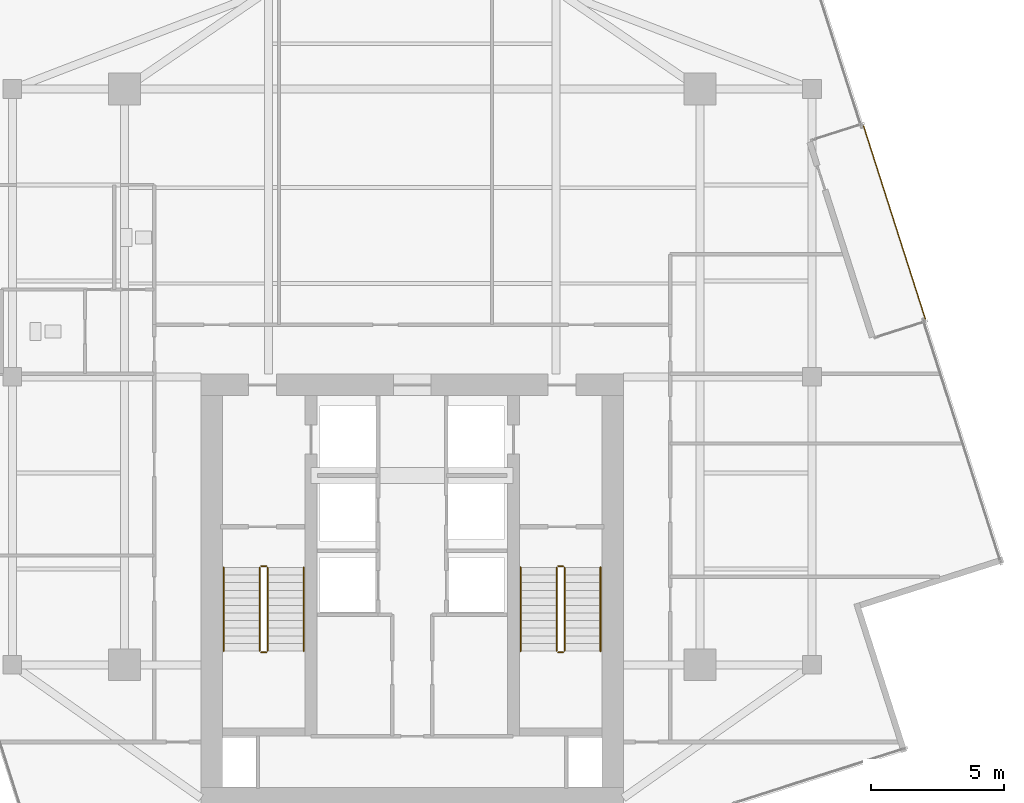
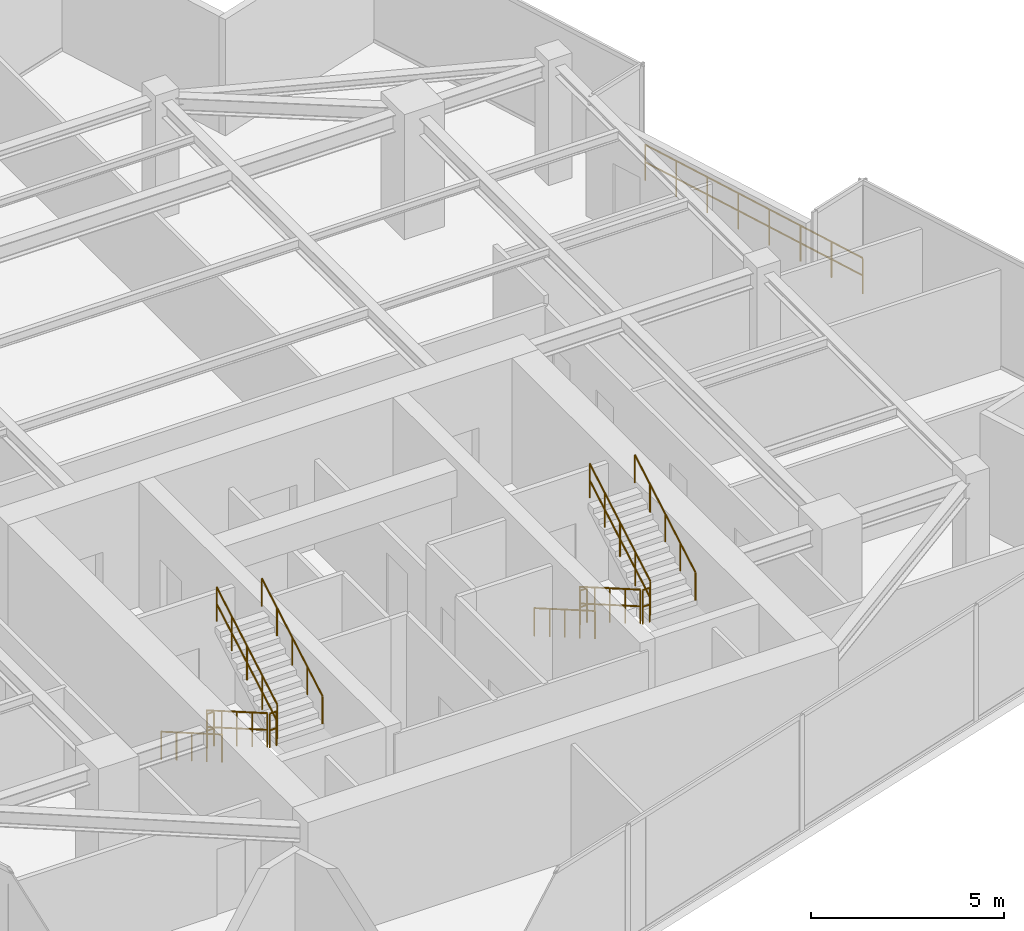
# One storey, part 20 of 21: 13 railings.
"""IFC4 building model written with IfcOpenShell, lengths in metres."""

from ifc_helpers import new_model, si_unit, direction, frame, origin, origin_2d, place, context, subcontext, project, spatial, circle, extrude, material, layer, layer_set, type_object, element, save


model = new_model("IFC4")

# Units and contexts
model_context = context("Model", 3, precision=1e-05, world=origin(), true_north=direction((0.0, 1.0)))
body_context = subcontext(model_context, "Body", "Model", "MODEL_VIEW")
ifc_project = project(units=[si_unit("LENGTHUNIT", "METRE"), si_unit("AREAUNIT", "SQUARE_METRE"), si_unit("VOLUMEUNIT", "CUBIC_METRE"), si_unit("PLANEANGLEUNIT", "RADIAN"), si_unit("MASSUNIT", "GRAM", prefix="KILO")], contexts=[model_context])

# Site, building, storey
site_placement = place(None, origin())
site = spatial("IfcSite", under=ifc_project, at=site_placement, CompositionType="ELEMENT")
building_placement = place(site_placement, origin())
building = spatial("IfcBuilding", under=site, at=building_placement, Name="Krantzveldt Concourse Tower", CompositionType="ELEMENT")
storey_placement = place(building_placement, frame((0.0, 0.0, 343.5)))
storey = spatial("IfcBuildingStorey", under=building, at=storey_placement, Name="L84", CompositionType="ELEMENT", Elevation=343.5)

# Railings
ifc_material = material(Name="Stainless steel 316L", Category="steel")
ifc_layer_1 = layer(ifc_material, 0.080078125, Name="Stainless steel 316L", Category="steel")
ifc_layer_set_1 = layer_set([ifc_layer_1], Name="Stainless steel 316L (RL-BALUSTRADE-1150)")
railing_type_1 = type_object("IfcRailingType", Name="RL-BALUSTRADE-1150", PredefinedType="BALUSTRADE", material=ifc_layer_set_1)
railing_1_placement = place(storey_placement, frame((52.93701171875, 36.111572265625, 0.0)))
element("IfcRailing", 1, at=railing_1_placement, inside=storey, type_object=railing_type_1, Name="GD-L84-CTER-01", PredefinedType="BALUSTRADE", context=body_context, shape_type="SweptSolid", body=[
    extrude(circle(Radius=0.02392578125, at=origin_2d()), frame((0.0, 0.0, 1.1259765625), z_axis=(0.304852654827, -0.952399526903, 0.0), x_axis=(0.952399526903, 0.304852654827, 0.0)), (0.0, 0.0, 1.0), 7.60009765625),
    extrude(circle(Radius=0.02392578125, at=origin_2d()), frame((0.0, 0.0, 0.574951171875), z_axis=(0.304852654827, -0.952399526903, 0.0), x_axis=(0.952399526903, 0.304852654827, 0.0)), (0.0, 0.0, 1.0), 7.60009765625),
    extrude(circle(Radius=0.02099609375, at=origin_2d()), origin(), (0.0, 0.0, 1.0), 1.101806640625),
    extrude(circle(Radius=0.02099609375, at=origin_2d()), frame((0.3310546875, -1.033935546875, 0.0)), (0.0, 0.0, 1.0), 1.101806640625),
    extrude(circle(Radius=0.02099609375, at=origin_2d()), frame((0.661865234375, -2.068115234375, 0.0)), (0.0, 0.0, 1.0), 1.101806640625),
    extrude(circle(Radius=0.02099609375, at=origin_2d()), frame((0.992919921875, -3.10205078125, 0.0)), (0.0, 0.0, 1.0), 1.101806640625),
    extrude(circle(Radius=0.02099609375, at=origin_2d()), frame((1.323974609375, -4.13623046875, 0.0)), (0.0, 0.0, 1.0), 1.101806640625),
    extrude(circle(Radius=0.02099609375, at=origin_2d()), frame((1.655029296875, -5.170166015625, 0.0)), (0.0, 0.0, 1.0), 1.101806640625),
    extrude(circle(Radius=0.02099609375, at=origin_2d()), frame((1.98583984375, -6.204345703125, 0.0)), (0.0, 0.0, 1.0), 1.101806640625),
    extrude(circle(Radius=0.02099609375, at=origin_2d()), frame((2.31689453125, -7.23828125, 0.0)), (0.0, 0.0, 1.0), 1.101806640625),
])
ifc_layer_2 = layer(ifc_material, 0.06005859375, Name="Stainless steel 316L", Category="steel")
ifc_layer_set_2 = layer_set([ifc_layer_2], Name="Stainless steel 316L (RL-GUARD-1120)")
railing_type_2 = type_object("IfcRailingType", Name="RL-GUARD-1120", PredefinedType="GUARDRAIL", material=ifc_layer_set_2)
railing_2_placement = place(storey_placement, frame((30.280029296875, 19.550048828125, 0.16455078125)))
element("IfcRailing", 2, at=railing_2_placement, inside=storey, type_object=railing_type_2, Name="L84 ST-1 stair guard 1", PredefinedType="GUARDRAIL", context=body_context, shape_type="SweptSolid", body=[
    extrude(circle(Radius=0.02392578125, at=origin_2d()), frame((0.0, 0.0, 1.076171875), z_axis=(0.0, -0.865959834175, 0.500113552702), x_axis=(1.0, 0.0, 0.0)), (0.0, 0.0, 1.0), 3.620361328125),
    extrude(circle(Radius=0.02392578125, at=origin_2d()), frame((0.0, 0.0, 0.550048828125), z_axis=(0.0, -0.865959834175, 0.500113552702), x_axis=(1.0, 0.0, 0.0)), (0.0, 0.0, 1.0), 3.620361328125),
    extrude(circle(Radius=0.02099609375, at=origin_2d()), origin(), (0.0, 0.0, 1.0), 1.052001953125),
    extrude(circle(Radius=0.02099609375, at=origin_2d()), frame((0.0, -0.78369140625, 0.45263671875)), (0.0, 0.0, 1.0), 1.052001953125),
    extrude(circle(Radius=0.02099609375, at=origin_2d()), frame((0.0, -1.5673828125, 0.9052734375)), (0.0, 0.0, 1.0), 1.052001953125),
    extrude(circle(Radius=0.02099609375, at=origin_2d()), frame((0.0, -2.351318359375, 1.35791015625)), (0.0, 0.0, 1.0), 1.052001953125),
    extrude(circle(Radius=0.02099609375, at=origin_2d()), frame((0.0, -3.135009765625, 1.810546875)), (0.0, 0.0, 1.0), 1.052001953125),
])
railing_3_placement = place(storey_placement, frame((30.330078125, 16.364990234375, 1.97509765625)))
element("IfcRailing", 3, at=railing_3_placement, inside=storey, type_object=railing_type_2, Name="L84 ST-1 stair guard 2", PredefinedType="GUARDRAIL", context=body_context, shape_type="SweptSolid", body=[
    extrude(circle(Radius=0.02392578125, at=origin_2d()), frame((0.0, 0.0, 1.076171875), z_axis=(1.0, 0.0, 0.0), x_axis=(0.0, 1.0, 0.0)), (0.0, 0.0, 1.0), 0.199951171875),
    extrude(circle(Radius=0.02392578125, at=origin_2d()), frame((0.0, 0.0, 0.550048828125), z_axis=(1.0, 0.0, 0.0), x_axis=(0.0, 1.0, 0.0)), (0.0, 0.0, 1.0), 0.199951171875),
    extrude(circle(Radius=0.02099609375, at=origin_2d()), origin(), (0.0, 0.0, 1.0), 1.052001953125),
    extrude(circle(Radius=0.02099609375, at=origin_2d()), frame((0.199951171875, 0.0, 0.0)), (0.0, 0.0, 1.0), 1.052001953125),
])
railing_4_placement = place(storey_placement, frame((30.580078125, 16.4150390625, 2.1396484375)))
element("IfcRailing", 4, at=railing_4_placement, inside=storey, type_object=railing_type_2, Name="L84 ST-1 stair guard 3", PredefinedType="GUARDRAIL", context=body_context, shape_type="SweptSolid", body=[
    extrude(circle(Radius=0.02392578125, at=origin_2d()), frame((0.0, 0.0, 1.076171875), z_axis=(0.0, 0.865989039225, 0.500062979975), x_axis=(-1.0, 0.0, 0.0)), (0.0, 0.0, 1.0), 3.6201171875),
    extrude(circle(Radius=0.02392578125, at=origin_2d()), frame((0.0, 0.0, 0.550048828125), z_axis=(0.0, 0.865989039225, 0.500062979975), x_axis=(-1.0, 0.0, 0.0)), (0.0, 0.0, 1.0), 3.6201171875),
    extrude(circle(Radius=0.02099609375, at=origin_2d()), origin(), (0.0, 0.0, 1.0), 1.052001953125),
    extrude(circle(Radius=0.02099609375, at=origin_2d()), frame((0.0, 0.78369140625, 0.45263671875)), (0.0, 0.0, 1.0), 1.052001953125),
    extrude(circle(Radius=0.02099609375, at=origin_2d()), frame((0.0, 1.5673828125, 0.9052734375)), (0.0, 0.0, 1.0), 1.052001953125),
    extrude(circle(Radius=0.02099609375, at=origin_2d()), frame((0.0, 2.351318359375, 1.357666015625)), (0.0, 0.0, 1.0), 1.052001953125),
    extrude(circle(Radius=0.02099609375, at=origin_2d()), frame((0.0, 3.135009765625, 1.810302734375)), (0.0, 0.0, 1.0), 1.052001953125),
])
railing_5_placement = place(storey_placement, frame((30.330078125, 19.60009765625, 0.0)))
element("IfcRailing", 5, at=railing_5_placement, inside=storey, type_object=railing_type_2, Name="L84 ST-1 stair guard 4", PredefinedType="GUARDRAIL", context=body_context, shape_type="SweptSolid", body=[
    extrude(circle(Radius=0.02392578125, at=origin_2d()), frame((0.0, 0.0, 1.076171875), z_axis=(1.0, 0.0, 0.0), x_axis=(0.0, 1.0, 0.0)), (0.0, 0.0, 1.0), 0.199951171875),
    extrude(circle(Radius=0.02392578125, at=origin_2d()), frame((0.0, 0.0, 0.550048828125), z_axis=(1.0, 0.0, 0.0), x_axis=(0.0, 1.0, 0.0)), (0.0, 0.0, 1.0), 0.199951171875),
    extrude(circle(Radius=0.02099609375, at=origin_2d()), origin(), (0.0, 0.0, 1.0), 1.052001953125),
    extrude(circle(Radius=0.02099609375, at=origin_2d()), frame((0.199951171875, 0.0, 0.0)), (0.0, 0.0, 1.0), 1.052001953125),
])
railing_6_placement = place(storey_placement, frame((41.419921875, 19.550048828125, 0.16455078125)))
element("IfcRailing", 6, at=railing_6_placement, inside=storey, type_object=railing_type_2, Name="L84 ST-2 stair guard 1", PredefinedType="GUARDRAIL", context=body_context, shape_type="SweptSolid", body=[
    extrude(circle(Radius=0.02392578125, at=origin_2d()), frame((0.0, 0.0, 1.076171875), z_axis=(0.0, -0.865959834175, 0.500113552702), x_axis=(1.0, 0.0, 0.0)), (0.0, 0.0, 1.0), 3.620361328125),
    extrude(circle(Radius=0.02392578125, at=origin_2d()), frame((0.0, 0.0, 0.550048828125), z_axis=(0.0, -0.865959834175, 0.500113552702), x_axis=(1.0, 0.0, 0.0)), (0.0, 0.0, 1.0), 3.620361328125),
    extrude(circle(Radius=0.02099609375, at=origin_2d()), origin(), (0.0, 0.0, 1.0), 1.052001953125),
    extrude(circle(Radius=0.02099609375, at=origin_2d()), frame((0.0, -0.78369140625, 0.45263671875)), (0.0, 0.0, 1.0), 1.052001953125),
    extrude(circle(Radius=0.02099609375, at=origin_2d()), frame((0.0, -1.5673828125, 0.9052734375)), (0.0, 0.0, 1.0), 1.052001953125),
    extrude(circle(Radius=0.02099609375, at=origin_2d()), frame((0.0, -2.351318359375, 1.35791015625)), (0.0, 0.0, 1.0), 1.052001953125),
    extrude(circle(Radius=0.02099609375, at=origin_2d()), frame((0.0, -3.135009765625, 1.810546875)), (0.0, 0.0, 1.0), 1.052001953125),
])
railing_7_placement = place(storey_placement, frame((41.469970703125, 16.364990234375, 1.97509765625)))
element("IfcRailing", 7, at=railing_7_placement, inside=storey, type_object=railing_type_2, Name="L84 ST-2 stair guard 2", PredefinedType="GUARDRAIL", context=body_context, shape_type="SweptSolid", body=[
    extrude(circle(Radius=0.02392578125, at=origin_2d()), frame((0.0, 0.0, 1.076171875), z_axis=(1.0, 0.0, 0.0), x_axis=(0.0, 1.0, 0.0)), (0.0, 0.0, 1.0), 0.199951171875),
    extrude(circle(Radius=0.02392578125, at=origin_2d()), frame((0.0, 0.0, 0.550048828125), z_axis=(1.0, 0.0, 0.0), x_axis=(0.0, 1.0, 0.0)), (0.0, 0.0, 1.0), 0.199951171875),
    extrude(circle(Radius=0.02099609375, at=origin_2d()), origin(), (0.0, 0.0, 1.0), 1.052001953125),
    extrude(circle(Radius=0.02099609375, at=origin_2d()), frame((0.199951171875, 0.0, 0.0)), (0.0, 0.0, 1.0), 1.052001953125),
])
railing_8_placement = place(storey_placement, frame((41.719970703125, 16.4150390625, 2.1396484375)))
element("IfcRailing", 8, at=railing_8_placement, inside=storey, type_object=railing_type_2, Name="L84 ST-2 stair guard 3", PredefinedType="GUARDRAIL", context=body_context, shape_type="SweptSolid", body=[
    extrude(circle(Radius=0.02392578125, at=origin_2d()), frame((0.0, 0.0, 1.076171875), z_axis=(0.0, 0.865989039225, 0.500062979975), x_axis=(-1.0, 0.0, 0.0)), (0.0, 0.0, 1.0), 3.6201171875),
    extrude(circle(Radius=0.02392578125, at=origin_2d()), frame((0.0, 0.0, 0.550048828125), z_axis=(0.0, 0.865989039225, 0.500062979975), x_axis=(-1.0, 0.0, 0.0)), (0.0, 0.0, 1.0), 3.6201171875),
    extrude(circle(Radius=0.02099609375, at=origin_2d()), origin(), (0.0, 0.0, 1.0), 1.052001953125),
    extrude(circle(Radius=0.02099609375, at=origin_2d()), frame((0.0, 0.78369140625, 0.45263671875)), (0.0, 0.0, 1.0), 1.052001953125),
    extrude(circle(Radius=0.02099609375, at=origin_2d()), frame((0.0, 1.5673828125, 0.9052734375)), (0.0, 0.0, 1.0), 1.052001953125),
    extrude(circle(Radius=0.02099609375, at=origin_2d()), frame((0.0, 2.351318359375, 1.357666015625)), (0.0, 0.0, 1.0), 1.052001953125),
    extrude(circle(Radius=0.02099609375, at=origin_2d()), frame((0.0, 3.135009765625, 1.810302734375)), (0.0, 0.0, 1.0), 1.052001953125),
])
railing_9_placement = place(storey_placement, frame((41.469970703125, 19.60009765625, 0.0)))
element("IfcRailing", 9, at=railing_9_placement, inside=storey, type_object=railing_type_2, Name="L84 ST-2 stair guard 4", PredefinedType="GUARDRAIL", context=body_context, shape_type="SweptSolid", body=[
    extrude(circle(Radius=0.02392578125, at=origin_2d()), frame((0.0, 0.0, 1.076171875), z_axis=(1.0, 0.0, 0.0), x_axis=(0.0, 1.0, 0.0)), (0.0, 0.0, 1.0), 0.199951171875),
    extrude(circle(Radius=0.02392578125, at=origin_2d()), frame((0.0, 0.0, 0.550048828125), z_axis=(1.0, 0.0, 0.0), x_axis=(0.0, 1.0, 0.0)), (0.0, 0.0, 1.0), 0.199951171875),
    extrude(circle(Radius=0.02099609375, at=origin_2d()), origin(), (0.0, 0.0, 1.0), 1.052001953125),
    extrude(circle(Radius=0.02099609375, at=origin_2d()), frame((0.199951171875, 0.0, 0.0)), (0.0, 0.0, 1.0), 1.052001953125),
])
ifc_layer_3 = layer(ifc_material, 0.050048828125, Name="Stainless steel 316L", Category="steel")
ifc_layer_set_3 = layer_set([ifc_layer_3], Name="Stainless steel 316L (RL-HANDRAIL-920)")
railing_type_3 = type_object("IfcRailingType", Name="RL-HANDRAIL-920", PredefinedType="HANDRAIL", material=ifc_layer_set_3)
railing_10_placement = place(storey_placement, frame((28.929931640625, 19.550048828125, 0.16455078125)))
element("IfcRailing", 10, at=railing_10_placement, inside=storey, type_object=railing_type_3, Name="L84 ST-1 stair handrail 1", PredefinedType="HANDRAIL", context=body_context, shape_type="SweptSolid", body=[
    extrude(circle(Radius=0.02392578125, at=origin_2d()), frame((0.0, 0.0, 0.8759765625), z_axis=(0.0, -0.865959834175, 0.500113552702), x_axis=(1.0, 0.0, 0.0)), (0.0, 0.0, 1.0), 3.620361328125),
    extrude(circle(Radius=0.02099609375, at=origin_2d()), origin(), (0.0, 0.0, 1.0), 0.851806640625),
    extrude(circle(Radius=0.02099609375, at=origin_2d()), frame((0.0, -0.78369140625, 0.45263671875)), (0.0, 0.0, 1.0), 0.851806640625),
    extrude(circle(Radius=0.02099609375, at=origin_2d()), frame((0.0, -1.5673828125, 0.9052734375)), (0.0, 0.0, 1.0), 0.851806640625),
    extrude(circle(Radius=0.02099609375, at=origin_2d()), frame((0.0, -2.351318359375, 1.35791015625)), (0.0, 0.0, 1.0), 0.851806640625),
    extrude(circle(Radius=0.02099609375, at=origin_2d()), frame((0.0, -3.135009765625, 1.810546875)), (0.0, 0.0, 1.0), 0.851806640625),
])
railing_11_placement = place(storey_placement, frame((31.929931640625, 16.4150390625, 2.1396484375)))
element("IfcRailing", 11, at=railing_11_placement, inside=storey, type_object=railing_type_3, Name="L84 ST-1 stair handrail 2", PredefinedType="HANDRAIL", context=body_context, shape_type="SweptSolid", body=[
    extrude(circle(Radius=0.02392578125, at=origin_2d()), frame((0.0, 0.0, 0.8759765625), z_axis=(0.0, 0.865989039225, 0.500062979975), x_axis=(-1.0, 0.0, 0.0)), (0.0, 0.0, 1.0), 3.6201171875),
    extrude(circle(Radius=0.02099609375, at=origin_2d()), origin(), (0.0, 0.0, 1.0), 0.851806640625),
    extrude(circle(Radius=0.02099609375, at=origin_2d()), frame((0.0, 0.78369140625, 0.45263671875)), (0.0, 0.0, 1.0), 0.851806640625),
    extrude(circle(Radius=0.02099609375, at=origin_2d()), frame((0.0, 1.5673828125, 0.9052734375)), (0.0, 0.0, 1.0), 0.851806640625),
    extrude(circle(Radius=0.02099609375, at=origin_2d()), frame((0.0, 2.351318359375, 1.357666015625)), (0.0, 0.0, 1.0), 0.851806640625),
    extrude(circle(Radius=0.02099609375, at=origin_2d()), frame((0.0, 3.135009765625, 1.810302734375)), (0.0, 0.0, 1.0), 0.851806640625),
])
railing_12_placement = place(storey_placement, frame((40.070068359375, 19.550048828125, 0.16455078125)))
element("IfcRailing", 12, at=railing_12_placement, inside=storey, type_object=railing_type_3, Name="L84 ST-2 stair handrail 1", PredefinedType="HANDRAIL", context=body_context, shape_type="SweptSolid", body=[
    extrude(circle(Radius=0.02392578125, at=origin_2d()), frame((0.0, 0.0, 0.8759765625), z_axis=(0.0, -0.865959834175, 0.500113552702), x_axis=(1.0, 0.0, 0.0)), (0.0, 0.0, 1.0), 3.620361328125),
    extrude(circle(Radius=0.02099609375, at=origin_2d()), origin(), (0.0, 0.0, 1.0), 0.851806640625),
    extrude(circle(Radius=0.02099609375, at=origin_2d()), frame((0.0, -0.78369140625, 0.45263671875)), (0.0, 0.0, 1.0), 0.851806640625),
    extrude(circle(Radius=0.02099609375, at=origin_2d()), frame((0.0, -1.5673828125, 0.9052734375)), (0.0, 0.0, 1.0), 0.851806640625),
    extrude(circle(Radius=0.02099609375, at=origin_2d()), frame((0.0, -2.351318359375, 1.35791015625)), (0.0, 0.0, 1.0), 0.851806640625),
    extrude(circle(Radius=0.02099609375, at=origin_2d()), frame((0.0, -3.135009765625, 1.810546875)), (0.0, 0.0, 1.0), 0.851806640625),
])
railing_13_placement = place(storey_placement, frame((43.070068359375, 16.4150390625, 2.1396484375)))
element("IfcRailing", 13, at=railing_13_placement, inside=storey, type_object=railing_type_3, Name="L84 ST-2 stair handrail 2", PredefinedType="HANDRAIL", context=body_context, shape_type="SweptSolid", body=[
    extrude(circle(Radius=0.02392578125, at=origin_2d()), frame((0.0, 0.0, 0.8759765625), z_axis=(0.0, 0.865989039225, 0.500062979975), x_axis=(-1.0, 0.0, 0.0)), (0.0, 0.0, 1.0), 3.6201171875),
    extrude(circle(Radius=0.02099609375, at=origin_2d()), origin(), (0.0, 0.0, 1.0), 0.851806640625),
    extrude(circle(Radius=0.02099609375, at=origin_2d()), frame((0.0, 0.78369140625, 0.45263671875)), (0.0, 0.0, 1.0), 0.851806640625),
    extrude(circle(Radius=0.02099609375, at=origin_2d()), frame((0.0, 1.5673828125, 0.9052734375)), (0.0, 0.0, 1.0), 0.851806640625),
    extrude(circle(Radius=0.02099609375, at=origin_2d()), frame((0.0, 2.351318359375, 1.357666015625)), (0.0, 0.0, 1.0), 0.851806640625),
    extrude(circle(Radius=0.02099609375, at=origin_2d()), frame((0.0, 3.135009765625, 1.810302734375)), (0.0, 0.0, 1.0), 0.851806640625),
])

save(model, "model.ifc")
